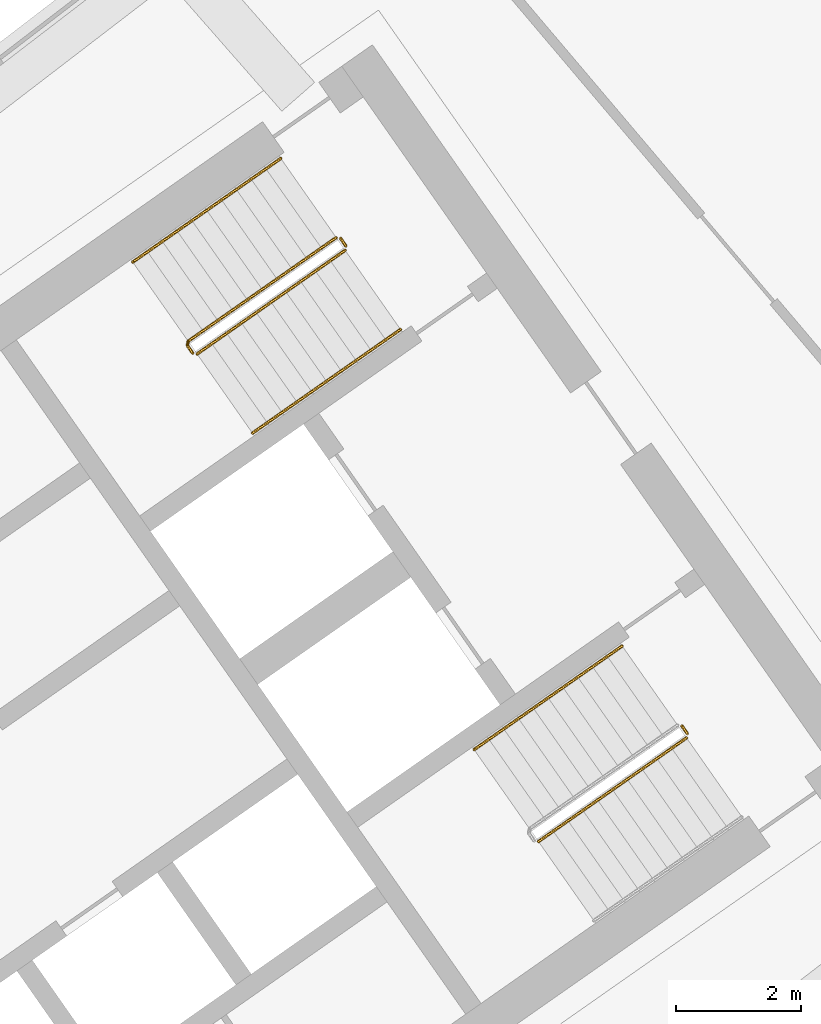
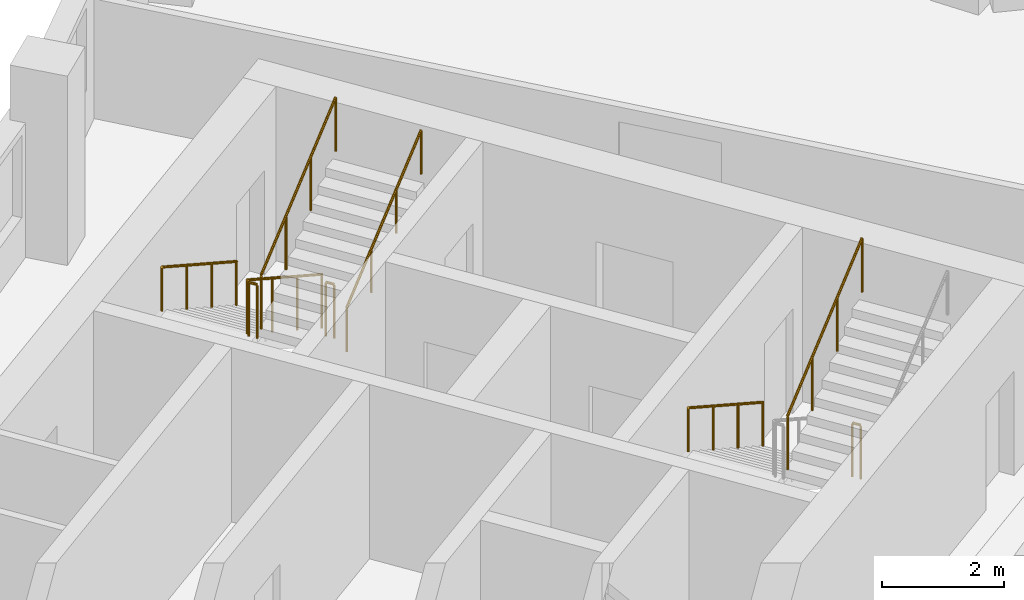
# One storey, part 28 of 28: 8 railings.
"""IFC4 building model written with IfcOpenShell, lengths in metres."""

from ifc_helpers import new_model, si_unit, direction, frame, origin, origin_2d, place, context, subcontext, project, spatial, circle, extrude, material, type_object, element, save


model = new_model("IFC4")

# Units and contexts
model_context = context("Model", 3, precision=1e-05, world=origin(), true_north=direction((0.0, 1.0)))
body_context = subcontext(model_context, "Body", "Model", "MODEL_VIEW")
ifc_project = project(units=[si_unit("LENGTHUNIT", "METRE"), si_unit("AREAUNIT", "SQUARE_METRE"), si_unit("VOLUMEUNIT", "CUBIC_METRE"), si_unit("PLANEANGLEUNIT", "RADIAN"), si_unit("MASSUNIT", "GRAM", prefix="KILO")], contexts=[model_context])

# Site, building, storey
site_placement = place(None, origin())
site = spatial("IfcSite", under=ifc_project, at=site_placement, CompositionType="ELEMENT")
building_placement = place(site_placement, origin())
building = spatial("IfcBuilding", under=site, at=building_placement, Name="Qamariyya Broadcast Tower", CompositionType="ELEMENT")
storey_placement = place(building_placement, frame((0.0, 0.0, 277.10009765625)))
storey = spatial("IfcBuildingStorey", under=building, at=storey_placement, Name="L67", CompositionType="ELEMENT", Elevation=277.10009765625)

# Railings
ifc_material_1 = material(Name="Painted steel", Category="steel")
railing_type_1 = type_object("IfcRailingType", Name="Stair guard", PredefinedType="GUARDRAIL", material=ifc_material_1)
railing_1_placement = place(storey_placement, frame((41.003173828125, -48.320068359375, 0.172607421875)))
element("IfcRailing", 1, at=railing_1_placement, inside=storey, type_object=railing_type_1, Name="L67 ST-E2 stair guard 1", PredefinedType="GUARDRAIL", context=body_context, shape_type="SweptSolid", body=[
    extrude(circle(Radius=0.02392578125, at=origin_2d()), frame((0.0, 0.0, 1.076171875), z_axis=(-0.703770094002, -0.492783725636, 0.511734163933), x_axis=(0.573575343427, -0.819152809562, 0.0)), (0.0, 0.0, 1.0), 3.37548828125),
    extrude(circle(Radius=0.02392578125, at=origin_2d()), frame((-2.37548828125, -1.663330078125, 2.80322265625), z_axis=(-0.172799478008, -0.984957024646, 0.0), x_axis=(0.984957024646, -0.172799478008, 0.0)), (0.0, 0.0, 1.0), 0.070556640625),
    extrude(circle(Radius=0.02392578125, at=origin_2d()), frame((-2.3876953125, -1.73291015625, 2.80322265625), z_axis=(0.572588637393, -0.819842821722, 0.0), x_axis=(0.819842821722, 0.572588637393, 0.0)), (0.0, 0.0, 1.0), 0.150146484375),
    extrude(circle(Radius=0.02099609375, at=origin_2d()), origin(), (0.0, 0.0, 1.0), 1.052001953125),
    extrude(circle(Radius=0.02099609375, at=origin_2d()), frame((-0.791748046875, -0.554443359375, 0.57568359375)), (0.0, 0.0, 1.0), 1.052001953125),
    extrude(circle(Radius=0.02099609375, at=origin_2d()), frame((-1.583740234375, -1.10888671875, 1.151611328125)), (0.0, 0.0, 1.0), 1.052001953125),
    extrude(circle(Radius=0.02099609375, at=origin_2d()), frame((-2.37548828125, -1.663330078125, 1.727294921875)), (0.0, 0.0, 1.0), 1.052001953125),
    extrude(circle(Radius=0.02099609375, at=origin_2d()), frame((-2.3876953125, -1.73291015625, 1.727294921875)), (0.0, 0.0, 1.0), 1.052001953125),
    extrude(circle(Radius=0.02099609375, at=origin_2d()), frame((-2.3017578125, -1.85595703125, 1.727294921875)), (0.0, 0.0, 1.0), 1.052001953125),
])
railing_2_placement = place(storey_placement, frame((38.771240234375, -50.188232421875, 2.072509765625)))
element("IfcRailing", 2, at=railing_2_placement, inside=storey, type_object=railing_type_1, Name="L67 ST-E2 stair guard 2", PredefinedType="GUARDRAIL", context=body_context, shape_type="SweptSolid", body=[
    extrude(circle(Radius=0.02392578125, at=origin_2d()), frame((0.0, 0.0, 1.076171875), z_axis=(0.703770094002, 0.492783725636, 0.511734163933), x_axis=(-0.573575343427, 0.819152809562, 0.0)), (0.0, 0.0, 1.0), 3.37548828125),
    extrude(circle(Radius=0.02099609375, at=origin_2d()), origin(), (0.0, 0.0, 1.0), 1.052001953125),
    extrude(circle(Radius=0.02099609375, at=origin_2d()), frame((0.791748046875, 0.554443359375, 0.57568359375)), (0.0, 0.0, 1.0), 1.052001953125),
    extrude(circle(Radius=0.02099609375, at=origin_2d()), frame((1.583740234375, 1.10888671875, 1.151611328125)), (0.0, 0.0, 1.0), 1.052001953125),
    extrude(circle(Radius=0.02099609375, at=origin_2d()), frame((2.37548828125, 1.663330078125, 1.727294921875)), (0.0, 0.0, 1.0), 1.052001953125),
])
railing_3_placement = place(storey_placement, frame((41.072998046875, -48.332275390625, 0.0)))
element("IfcRailing", 3, at=railing_3_placement, inside=storey, type_object=railing_type_1, Name="L67 ST-E2 stair guard 3", PredefinedType="GUARDRAIL", context=body_context, shape_type="SweptSolid", body=[
    extrude(circle(Radius=0.02392578125, at=origin_2d()), frame((0.0, 0.0, 1.076171875), z_axis=(0.572588637393, -0.819842821722, 0.0), x_axis=(0.819842821722, 0.572588637393, 0.0)), (0.0, 0.0, 1.0), 0.150146484375),
    extrude(circle(Radius=0.02099609375, at=origin_2d()), origin(), (0.0, 0.0, 1.0), 1.052001953125),
    extrude(circle(Radius=0.02099609375, at=origin_2d()), frame((0.0859375, -0.123046875, 0.0)), (0.0, 0.0, 1.0), 1.052001953125),
])
railing_4_placement = place(storey_placement, frame((44.248779296875, -58.01123046875, 2.072509765625)))
element("IfcRailing", 4, at=railing_4_placement, inside=storey, type_object=railing_type_1, Name="L67 ST-E1 stair guard 2", PredefinedType="GUARDRAIL", context=body_context, shape_type="SweptSolid", body=[
    extrude(circle(Radius=0.02392578125, at=origin_2d()), frame((0.0, 0.0, 1.076171875), z_axis=(0.703745009021, 0.492838488332, 0.511715923826), x_axis=(-0.573631830683, 0.819113253969, 0.0)), (0.0, 0.0, 1.0), 3.37548828125),
    extrude(circle(Radius=0.02099609375, at=origin_2d()), origin(), (0.0, 0.0, 1.0), 1.052001953125),
    extrude(circle(Radius=0.02099609375, at=origin_2d()), frame((0.791748046875, 0.554443359375, 0.57568359375)), (0.0, 0.0, 1.0), 1.052001953125),
    extrude(circle(Radius=0.02099609375, at=origin_2d()), frame((1.583740234375, 1.109130859375, 1.151611328125)), (0.0, 0.0, 1.0), 1.052001953125),
    extrude(circle(Radius=0.02099609375, at=origin_2d()), frame((2.37548828125, 1.66357421875, 1.727294921875)), (0.0, 0.0, 1.0), 1.052001953125),
])
railing_5_placement = place(storey_placement, frame((46.550537109375, -56.1552734375, 0.0)))
element("IfcRailing", 5, at=railing_5_placement, inside=storey, type_object=railing_type_1, Name="L67 ST-E1 stair guard 3", PredefinedType="GUARDRAIL", context=body_context, shape_type="SweptSolid", body=[
    extrude(circle(Radius=0.02392578125, at=origin_2d()), frame((0.0, 0.0, 1.076171875), z_axis=(0.574444878118, -0.818543268254, 0.0), x_axis=(0.818543268254, 0.574444878118, 0.0)), (0.0, 0.0, 1.0), 0.150146484375),
    extrude(circle(Radius=0.02099609375, at=origin_2d()), origin(), (0.0, 0.0, 1.0), 1.052001953125),
    extrude(circle(Radius=0.02099609375, at=origin_2d()), frame((0.086181640625, -0.122802734375, 0.0)), (0.0, 0.0, 1.0), 1.052001953125),
])
ifc_material_2 = material(Name="Stainless steel", Category="steel")
railing_type_2 = type_object("IfcRailingType", Name="Stair handrail", PredefinedType="HANDRAIL", material=ifc_material_2)
railing_6_placement = place(storey_placement, frame((40.1142578125, -47.05029296875, 0.172607421875)))
element("IfcRailing", 6, at=railing_6_placement, inside=storey, type_object=railing_type_2, Name="L67 ST-E2 stair handrail 1", PredefinedType="HANDRAIL", context=body_context, shape_type="SweptSolid", body=[
    extrude(circle(Radius=0.02392578125, at=origin_2d()), frame((0.0, 0.0, 0.8759765625), z_axis=(-0.703745009021, -0.492838488332, 0.511715923826), x_axis=(0.573631830683, -0.819113253969, 0.0)), (0.0, 0.0, 1.0), 3.37548828125),
    extrude(circle(Radius=0.02099609375, at=origin_2d()), origin(), (0.0, 0.0, 1.0), 0.851806640625),
    extrude(circle(Radius=0.02099609375, at=origin_2d()), frame((-0.791748046875, -0.554443359375, 0.57568359375)), (0.0, 0.0, 1.0), 0.851806640625),
    extrude(circle(Radius=0.02099609375, at=origin_2d()), frame((-1.583740234375, -1.109130859375, 1.151611328125)), (0.0, 0.0, 1.0), 0.851806640625),
    extrude(circle(Radius=0.02099609375, at=origin_2d()), frame((-2.37548828125, -1.66357421875, 1.727294921875)), (0.0, 0.0, 1.0), 0.851806640625),
])
railing_7_placement = place(storey_placement, frame((39.66015625, -51.4580078125, 2.072509765625)))
element("IfcRailing", 7, at=railing_7_placement, inside=storey, type_object=railing_type_2, Name="L67 ST-E2 stair handrail 2", PredefinedType="HANDRAIL", context=body_context, shape_type="SweptSolid", body=[
    extrude(circle(Radius=0.02392578125, at=origin_2d()), frame((0.0, 0.0, 0.8759765625), z_axis=(0.703745009021, 0.492838488332, 0.511715923826), x_axis=(-0.573631830683, 0.819113253969, 0.0)), (0.0, 0.0, 1.0), 3.37548828125),
    extrude(circle(Radius=0.02099609375, at=origin_2d()), origin(), (0.0, 0.0, 1.0), 0.851806640625),
    extrude(circle(Radius=0.02099609375, at=origin_2d()), frame((0.791748046875, 0.554443359375, 0.57568359375)), (0.0, 0.0, 1.0), 0.851806640625),
    extrude(circle(Radius=0.02099609375, at=origin_2d()), frame((1.583740234375, 1.109130859375, 1.151611328125)), (0.0, 0.0, 1.0), 0.851806640625),
    extrude(circle(Radius=0.02099609375, at=origin_2d()), frame((2.37548828125, 1.66357421875, 1.727294921875)), (0.0, 0.0, 1.0), 0.851806640625),
])
railing_8_placement = place(storey_placement, frame((45.591796875, -54.873291015625, 0.172607421875)))
element("IfcRailing", 8, at=railing_8_placement, inside=storey, type_object=railing_type_2, Name="L67 ST-E1 stair handrail 1", PredefinedType="HANDRAIL", context=body_context, shape_type="SweptSolid", body=[
    extrude(circle(Radius=0.02392578125, at=origin_2d()), frame((0.0, 0.0, 0.8759765625), z_axis=(-0.703770094002, -0.492783725636, 0.511734163933), x_axis=(0.573575343427, -0.819152809562, 0.0)), (0.0, 0.0, 1.0), 3.37548828125),
    extrude(circle(Radius=0.02099609375, at=origin_2d()), origin(), (0.0, 0.0, 1.0), 0.851806640625),
    extrude(circle(Radius=0.02099609375, at=origin_2d()), frame((-0.791748046875, -0.554443359375, 0.57568359375)), (0.0, 0.0, 1.0), 0.851806640625),
    extrude(circle(Radius=0.02099609375, at=origin_2d()), frame((-1.583740234375, -1.10888671875, 1.151611328125)), (0.0, 0.0, 1.0), 0.851806640625),
    extrude(circle(Radius=0.02099609375, at=origin_2d()), frame((-2.37548828125, -1.663330078125, 1.727294921875)), (0.0, 0.0, 1.0), 0.851806640625),
])

save(model, "model.ifc")
